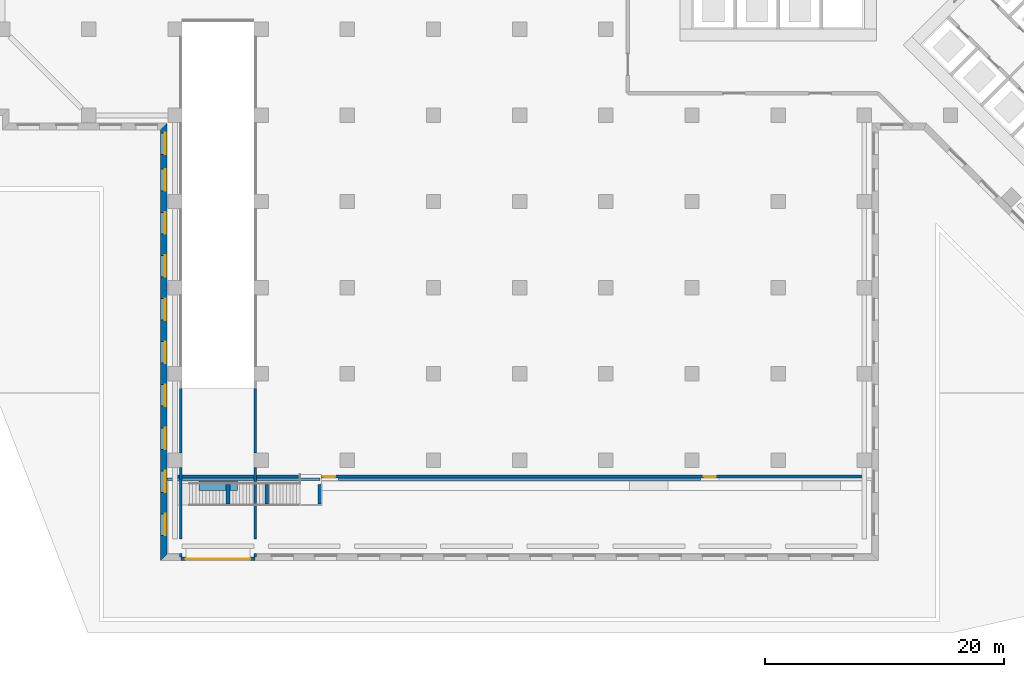
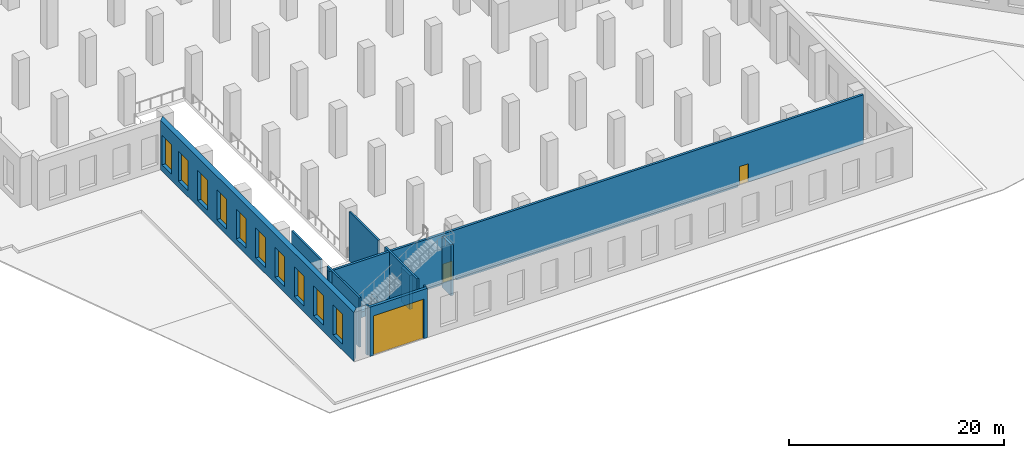
# One storey, part 3 of 15: 15 walls, 10 windows, 3 doors, 13 openings.
"""IFC4 building model written with IfcOpenShell, lengths in metres."""

from ifc_helpers import new_model, si_unit, direction, frame, frame_2d, origin, place, context, subcontext, project, spatial, polyline, rectangle, outline, extrude, material, layer, layer_set, type_object, element, fill, save


model = new_model("IFC4")

# Units and contexts
model_context = context("Model", 3, precision=1e-05, world=origin(), true_north=direction((0.0, 1.0)))
body_context = subcontext(model_context, "Body", "Model", "MODEL_VIEW")
ifc_project = project(units=[si_unit("LENGTHUNIT", "METRE"), si_unit("AREAUNIT", "SQUARE_METRE"), si_unit("VOLUMEUNIT", "CUBIC_METRE"), si_unit("PLANEANGLEUNIT", "RADIAN"), si_unit("MASSUNIT", "GRAM", prefix="KILO")], contexts=[model_context])

# Site, building, storey
site_placement = place(None, origin())
site = spatial("IfcSite", under=ifc_project, at=site_placement, CompositionType="ELEMENT")
building_placement = place(site_placement, origin())
building = spatial("IfcBuilding", under=site, at=building_placement, Name="Windrow Commons", CompositionType="ELEMENT")
storey_placement = place(building_placement, origin())
storey = spatial("IfcBuildingStorey", under=building, at=storey_placement, Name="L00", CompositionType="ELEMENT", Elevation=0.0)

# Wall, openings, windows
ifc_material_1 = material(Name="Brick masonry, red clay brick", Category="masonry")
ifc_layer_1 = layer(ifc_material_1, 0.55)
ifc_layer_set_1 = layer_set([ifc_layer_1], Name="Brick facade wall 550")
wall_type_1 = type_object("IfcWallType", Name="Brick facade wall 550", PredefinedType="SOLIDWALL", material=ifc_layer_set_1)
wall_1_placement = place(storey_placement, frame((13.475, 42.275, 0.0), z_axis=(0.0, 0.0, 1.0), x_axis=(0.0, -1.0, 0.0)))
wall_1 = element("IfcWall", 1, at=wall_1_placement, inside=storey, type_object=wall_type_1, Name="Brick facade wall L00 12", PredefinedType="SOLIDWALL", context=body_context, shape_type="SweptSolid", body=[
    extrude(outline(polyline([(0.275, -0.275), (36.275, -0.275), (35.725, 0.275), (-0.275, 0.275), (0.275, -0.275)])), origin(), (0.0, 0.0, 1.0), 5.6),
])
opening_1_placement = place(wall_1_placement, frame((0.5375, 0.0, 0.7)))
opening_1 = element("IfcOpeningElement", 2, at=opening_1_placement, cuts=wall_1, Name="Opening W3", PredefinedType="OPENING", context=body_context, shape_type="SweptSolid", body=[
    extrude(rectangle(XDim=1.8, YDim=3.4, at=frame_2d((0.9, 1.7))), frame((0.0, 0.285, 0.0), z_axis=(0.0, -1.0, 0.0), x_axis=(1.0, 0.0, 0.0)), (0.0, 0.0, 1.0), 0.57),
])
opening_2_placement = place(wall_1_placement, frame((3.575, 0.0, 0.7)))
opening_2 = element("IfcOpeningElement", 3, at=opening_2_placement, cuts=wall_1, Name="Opening W3", PredefinedType="OPENING", context=body_context, shape_type="SweptSolid", body=[
    extrude(rectangle(XDim=1.8, YDim=3.4, at=frame_2d((0.9, 1.7))), frame((0.0, 0.285, 0.0), z_axis=(0.0, -1.0, 0.0), x_axis=(1.0, 0.0, 0.0)), (0.0, 0.0, 1.0), 0.57),
])
opening_3_placement = place(wall_1_placement, frame((7.175, 0.0, 0.7)))
opening_3 = element("IfcOpeningElement", 4, at=opening_3_placement, cuts=wall_1, Name="Opening W3", PredefinedType="OPENING", context=body_context, shape_type="SweptSolid", body=[
    extrude(rectangle(XDim=1.8, YDim=3.4, at=frame_2d((0.9, 1.7))), frame((0.0, 0.285, 0.0), z_axis=(0.0, -1.0, 0.0), x_axis=(1.0, 0.0, 0.0)), (0.0, 0.0, 1.0), 0.57),
])
opening_4_placement = place(wall_1_placement, frame((10.775, 0.0, 0.7)))
opening_4 = element("IfcOpeningElement", 5, at=opening_4_placement, cuts=wall_1, Name="Opening W3", PredefinedType="OPENING", context=body_context, shape_type="SweptSolid", body=[
    extrude(rectangle(XDim=1.8, YDim=3.4, at=frame_2d((0.9, 1.7))), frame((0.0, 0.285, 0.0), z_axis=(0.0, -1.0, 0.0), x_axis=(1.0, 0.0, 0.0)), (0.0, 0.0, 1.0), 0.57),
])
opening_5_placement = place(wall_1_placement, frame((14.375, 0.0, 0.7)))
opening_5 = element("IfcOpeningElement", 6, at=opening_5_placement, cuts=wall_1, Name="Opening W3", PredefinedType="OPENING", context=body_context, shape_type="SweptSolid", body=[
    extrude(rectangle(XDim=1.8, YDim=3.4, at=frame_2d((0.9, 1.7))), frame((0.0, 0.285, 0.0), z_axis=(0.0, -1.0, 0.0), x_axis=(1.0, 0.0, 0.0)), (0.0, 0.0, 1.0), 0.57),
])
opening_6_placement = place(wall_1_placement, frame((17.975, 0.0, 0.7)))
opening_6 = element("IfcOpeningElement", 7, at=opening_6_placement, cuts=wall_1, Name="Opening W3", PredefinedType="OPENING", context=body_context, shape_type="SweptSolid", body=[
    extrude(rectangle(XDim=1.8, YDim=3.4, at=frame_2d((0.9, 1.7))), frame((0.0, 0.285, 0.0), z_axis=(0.0, -1.0, 0.0), x_axis=(1.0, 0.0, 0.0)), (0.0, 0.0, 1.0), 0.57),
])
opening_7_placement = place(wall_1_placement, frame((21.575, 0.0, 0.7)))
opening_7 = element("IfcOpeningElement", 8, at=opening_7_placement, cuts=wall_1, Name="Opening W3", PredefinedType="OPENING", context=body_context, shape_type="SweptSolid", body=[
    extrude(rectangle(XDim=1.8, YDim=3.4, at=frame_2d((0.9, 1.7))), frame((0.0, 0.285, 0.0), z_axis=(0.0, -1.0, 0.0), x_axis=(1.0, 0.0, 0.0)), (0.0, 0.0, 1.0), 0.57),
])
opening_8_placement = place(wall_1_placement, frame((25.175, 0.0, 0.7)))
opening_8 = element("IfcOpeningElement", 9, at=opening_8_placement, cuts=wall_1, Name="Opening W3", PredefinedType="OPENING", context=body_context, shape_type="SweptSolid", body=[
    extrude(rectangle(XDim=1.8, YDim=3.4, at=frame_2d((0.9, 1.7))), frame((0.0, 0.285, 0.0), z_axis=(0.0, -1.0, 0.0), x_axis=(1.0, 0.0, 0.0)), (0.0, 0.0, 1.0), 0.57),
])
opening_9_placement = place(wall_1_placement, frame((28.775, 0.0, 0.7)))
opening_9 = element("IfcOpeningElement", 10, at=opening_9_placement, cuts=wall_1, Name="Opening W3", PredefinedType="OPENING", context=body_context, shape_type="SweptSolid", body=[
    extrude(rectangle(XDim=1.8, YDim=3.4, at=frame_2d((0.9, 1.7))), frame((0.0, 0.285, 0.0), z_axis=(0.0, -1.0, 0.0), x_axis=(1.0, 0.0, 0.0)), (0.0, 0.0, 1.0), 0.57),
])
opening_10_placement = place(wall_1_placement, frame((32.375, 0.0, 0.7)))
opening_10 = element("IfcOpeningElement", 11, at=opening_10_placement, cuts=wall_1, Name="Opening W3", PredefinedType="OPENING", context=body_context, shape_type="SweptSolid", body=[
    extrude(rectangle(XDim=1.8, YDim=3.4, at=frame_2d((0.9, 1.7))), frame((0.0, 0.285, 0.0), z_axis=(0.0, -1.0, 0.0), x_axis=(1.0, 0.0, 0.0)), (0.0, 0.0, 1.0), 0.57),
])
ifc_material_2 = material(Name="Clear float glass in anodised aluminium frame", Category="aluminium")
window_type = type_object("IfcWindowType", Name="Window W3 shopfront 1800x3400", PartitioningType="SINGLE_PANEL", PredefinedType="WINDOW", material=ifc_material_2)
window_1_placement = place(opening_1_placement, origin())
window_1 = element("IfcWindow", 12, at=window_1_placement, inside=storey, type_object=window_type, Name="Window L00 12.1", OverallHeight=3.4, OverallWidth=1.8, PartitioningType="SINGLE_PANEL", PredefinedType="WINDOW", context=body_context, shape_type="SweptSolid", body=[
    extrude(rectangle(XDim=1.8, YDim=3.4, at=frame_2d((0.9, 1.7))), frame((0.0, 0.155, 0.0), z_axis=(0.0, -1.0, 0.0), x_axis=(1.0, 0.0, 0.0)), (0.0, 0.0, 1.0), 0.06),
])
fill(opening_1, window_1)
window_2_placement = place(opening_2_placement, origin())
window_2 = element("IfcWindow", 13, at=window_2_placement, inside=storey, type_object=window_type, Name="Window L00 12.2", OverallHeight=3.4, OverallWidth=1.8, PartitioningType="SINGLE_PANEL", PredefinedType="WINDOW", context=body_context, shape_type="SweptSolid", body=[
    extrude(rectangle(XDim=1.8, YDim=3.4, at=frame_2d((0.9, 1.7))), frame((0.0, 0.155, 0.0), z_axis=(0.0, -1.0, 0.0), x_axis=(1.0, 0.0, 0.0)), (0.0, 0.0, 1.0), 0.06),
])
fill(opening_2, window_2)
window_3_placement = place(opening_3_placement, origin())
window_3 = element("IfcWindow", 14, at=window_3_placement, inside=storey, type_object=window_type, Name="Window L00 12.3", OverallHeight=3.4, OverallWidth=1.8, PartitioningType="SINGLE_PANEL", PredefinedType="WINDOW", context=body_context, shape_type="SweptSolid", body=[
    extrude(rectangle(XDim=1.8, YDim=3.4, at=frame_2d((0.9, 1.7))), frame((0.0, 0.155, 0.0), z_axis=(0.0, -1.0, 0.0), x_axis=(1.0, 0.0, 0.0)), (0.0, 0.0, 1.0), 0.06),
])
fill(opening_3, window_3)
window_4_placement = place(opening_4_placement, origin())
window_4 = element("IfcWindow", 15, at=window_4_placement, inside=storey, type_object=window_type, Name="Window L00 12.4", OverallHeight=3.4, OverallWidth=1.8, PartitioningType="SINGLE_PANEL", PredefinedType="WINDOW", context=body_context, shape_type="SweptSolid", body=[
    extrude(rectangle(XDim=1.8, YDim=3.4, at=frame_2d((0.9, 1.7))), frame((0.0, 0.155, 0.0), z_axis=(0.0, -1.0, 0.0), x_axis=(1.0, 0.0, 0.0)), (0.0, 0.0, 1.0), 0.06),
])
fill(opening_4, window_4)
window_5_placement = place(opening_5_placement, origin())
window_5 = element("IfcWindow", 16, at=window_5_placement, inside=storey, type_object=window_type, Name="Window L00 12.5", OverallHeight=3.4, OverallWidth=1.8, PartitioningType="SINGLE_PANEL", PredefinedType="WINDOW", context=body_context, shape_type="SweptSolid", body=[
    extrude(rectangle(XDim=1.8, YDim=3.4, at=frame_2d((0.9, 1.7))), frame((0.0, 0.155, 0.0), z_axis=(0.0, -1.0, 0.0), x_axis=(1.0, 0.0, 0.0)), (0.0, 0.0, 1.0), 0.06),
])
fill(opening_5, window_5)
window_6_placement = place(opening_6_placement, origin())
window_6 = element("IfcWindow", 17, at=window_6_placement, inside=storey, type_object=window_type, Name="Window L00 12.6", OverallHeight=3.4, OverallWidth=1.8, PartitioningType="SINGLE_PANEL", PredefinedType="WINDOW", context=body_context, shape_type="SweptSolid", body=[
    extrude(rectangle(XDim=1.8, YDim=3.4, at=frame_2d((0.9, 1.7))), frame((0.0, 0.155, 0.0), z_axis=(0.0, -1.0, 0.0), x_axis=(1.0, 0.0, 0.0)), (0.0, 0.0, 1.0), 0.06),
])
fill(opening_6, window_6)
window_7_placement = place(opening_7_placement, origin())
window_7 = element("IfcWindow", 18, at=window_7_placement, inside=storey, type_object=window_type, Name="Window L00 12.7", OverallHeight=3.4, OverallWidth=1.8, PartitioningType="SINGLE_PANEL", PredefinedType="WINDOW", context=body_context, shape_type="SweptSolid", body=[
    extrude(rectangle(XDim=1.8, YDim=3.4, at=frame_2d((0.9, 1.7))), frame((0.0, 0.155, 0.0), z_axis=(0.0, -1.0, 0.0), x_axis=(1.0, 0.0, 0.0)), (0.0, 0.0, 1.0), 0.06),
])
fill(opening_7, window_7)
window_8_placement = place(opening_8_placement, origin())
window_8 = element("IfcWindow", 19, at=window_8_placement, inside=storey, type_object=window_type, Name="Window L00 12.8", OverallHeight=3.4, OverallWidth=1.8, PartitioningType="SINGLE_PANEL", PredefinedType="WINDOW", context=body_context, shape_type="SweptSolid", body=[
    extrude(rectangle(XDim=1.8, YDim=3.4, at=frame_2d((0.9, 1.7))), frame((0.0, 0.155, 0.0), z_axis=(0.0, -1.0, 0.0), x_axis=(1.0, 0.0, 0.0)), (0.0, 0.0, 1.0), 0.06),
])
fill(opening_8, window_8)
window_9_placement = place(opening_9_placement, origin())
window_9 = element("IfcWindow", 20, at=window_9_placement, inside=storey, type_object=window_type, Name="Window L00 12.9", OverallHeight=3.4, OverallWidth=1.8, PartitioningType="SINGLE_PANEL", PredefinedType="WINDOW", context=body_context, shape_type="SweptSolid", body=[
    extrude(rectangle(XDim=1.8, YDim=3.4, at=frame_2d((0.9, 1.7))), frame((0.0, 0.155, 0.0), z_axis=(0.0, -1.0, 0.0), x_axis=(1.0, 0.0, 0.0)), (0.0, 0.0, 1.0), 0.06),
])
fill(opening_9, window_9)
window_10_placement = place(opening_10_placement, origin())
window_10 = element("IfcWindow", 21, at=window_10_placement, inside=storey, type_object=window_type, Name="Window L00 12.10", OverallHeight=3.4, OverallWidth=1.8, PartitioningType="SINGLE_PANEL", PredefinedType="WINDOW", context=body_context, shape_type="SweptSolid", body=[
    extrude(rectangle(XDim=1.8, YDim=3.4, at=frame_2d((0.9, 1.7))), frame((0.0, 0.155, 0.0), z_axis=(0.0, -1.0, 0.0), x_axis=(1.0, 0.0, 0.0)), (0.0, 0.0, 1.0), 0.06),
])
fill(opening_10, window_10)

# Walls
ifc_material_3 = material(Name="Blockwork partition", Category="masonry")
ifc_layer_2 = layer(ifc_material_3, 0.2)
ifc_layer_set_2 = layer_set([ifc_layer_2], Name="CP-PART-200")
wall_type_2 = type_object("IfcWallType", Name="CP-PART-200", PredefinedType="PARTITIONING", material=ifc_layer_set_2)
wall_2_placement = place(storey_placement, frame((14.9, 6.3, 0.0), z_axis=(0.0, 0.0, 1.0), x_axis=(0.0, 1.0, 0.0)))
element("IfcWall", 22, at=wall_2_placement, inside=storey, type_object=wall_type_2, Name="Entry lane wall W1", PredefinedType="PARTITIONING", context=body_context, shape_type="SweptSolid", body=[
    extrude(rectangle(XDim=0.3, YDim=0.2, at=frame_2d((0.15, 0.0))), origin(), (0.0, 0.0, 1.0), 5.6),
])
wall_3_placement = place(storey_placement, frame((14.9, 7.8, 0.0), z_axis=(0.0, 0.0, 1.0), x_axis=(0.0, 1.0, 0.0)))
element("IfcWall", 23, at=wall_3_placement, inside=storey, type_object=wall_type_2, Name="Entry lane wall W2", PredefinedType="PARTITIONING", context=body_context, shape_type="SweptSolid", body=[
    extrude(rectangle(XDim=6.0, YDim=0.2, at=frame_2d((3.0, 0.0))), origin(), (0.0, 0.0, 1.0), 5.6),
])
wall_4_placement = place(storey_placement, frame((14.9, 15.0, 0.0), z_axis=(0.0, 0.0, 1.0), x_axis=(0.0, 1.0, 0.0)))
element("IfcWall", 24, at=wall_4_placement, inside=storey, type_object=wall_type_2, Name="Entry lane wall W3", PredefinedType="PARTITIONING", context=body_context, shape_type="SweptSolid", body=[
    extrude(rectangle(XDim=5.4, YDim=0.2, at=frame_2d((2.7, 0.0))), origin(), (0.0, 0.0, 1.0), 5.6),
])
wall_5_placement = place(storey_placement, frame((21.1, 6.3, 0.0), z_axis=(0.0, 0.0, 1.0), x_axis=(0.0, 1.0, 0.0)))
element("IfcWall", 25, at=wall_5_placement, inside=storey, type_object=wall_type_2, Name="Entry lane wall E1", PredefinedType="PARTITIONING", context=body_context, shape_type="SweptSolid", body=[
    extrude(rectangle(XDim=0.3, YDim=0.2, at=frame_2d((0.15, 0.0))), origin(), (0.0, 0.0, 1.0), 5.6),
])
wall_6_placement = place(storey_placement, frame((21.1, 7.8, 0.0), z_axis=(0.0, 0.0, 1.0), x_axis=(0.0, 1.0, 0.0)))
element("IfcWall", 26, at=wall_6_placement, inside=storey, type_object=wall_type_2, Name="Entry lane wall E2", PredefinedType="PARTITIONING", context=body_context, shape_type="SweptSolid", body=[
    extrude(rectangle(XDim=6.0, YDim=0.2, at=frame_2d((3.0, 0.0))), origin(), (0.0, 0.0, 1.0), 5.6),
])
wall_7_placement = place(storey_placement, frame((21.1, 15.0, 0.0), z_axis=(0.0, 0.0, 1.0), x_axis=(0.0, 1.0, 0.0)))
element("IfcWall", 27, at=wall_7_placement, inside=storey, type_object=wall_type_2, Name="Entry lane wall E3", PredefinedType="PARTITIONING", context=body_context, shape_type="SweptSolid", body=[
    extrude(rectangle(XDim=5.4, YDim=0.2, at=frame_2d((2.7, 0.0))), origin(), (0.0, 0.0, 1.0), 5.6),
])

# Wall, opening, door
ifc_material_4 = material(Name="Blockwork partition", Category="masonry")
ifc_layer_3 = layer(ifc_material_4, 0.3)
ifc_layer_set_3 = layer_set([ifc_layer_3], Name="CP-PART-300")
wall_type_3 = type_object("IfcWallType", Name="CP-PART-300", PredefinedType="PARTITIONING", material=ifc_layer_set_3)
wall_8_placement = place(storey_placement, frame((14.9, 6.15, 0.0), z_axis=(0.0, 0.0, 1.0), x_axis=(1.0, 0.0, 0.0)))
wall_8 = element("IfcWall", 28, at=wall_8_placement, inside=storey, type_object=wall_type_3, Name="Vehicle gate wall", PredefinedType="PARTITIONING", context=body_context, shape_type="SweptSolid", body=[
    extrude(rectangle(XDim=6.2, YDim=0.3, at=frame_2d((3.1, 0.0))), origin(), (0.0, 0.0, 1.0), 5.6),
])
opening_11_placement = place(wall_8_placement, frame((0.4, 0.0, 0.0)))
opening_11 = element("IfcOpeningElement", 29, at=opening_11_placement, cuts=wall_8, Name="Opening L00-GATE", PredefinedType="OPENING", context=body_context, shape_type="SweptSolid", body=[
    extrude(rectangle(XDim=5.4, YDim=4.5, at=frame_2d((2.7, 2.25))), frame((0.0, 0.16, 0.0), z_axis=(0.0, -1.0, 0.0), x_axis=(1.0, 0.0, 0.0)), (0.0, 0.0, 1.0), 0.32),
])
ifc_material_5 = material(Name="Galvanised steel roller shutter", Category="steel")
door_type_1 = type_object("IfcDoorType", Name="CP-DOOR-GATE", OperationType="ROLLINGUP", PredefinedType="GATE", material=ifc_material_5)
door_1_placement = place(opening_11_placement, origin())
door_1 = element("IfcDoor", 30, at=door_1_placement, inside=storey, type_object=door_type_1, Name="D-L00-GATE", OperationType="ROLLINGUP", OverallHeight=4.5, OverallWidth=5.4, PredefinedType="GATE", context=body_context, shape_type="SweptSolid", body=[
    extrude(rectangle(XDim=5.4, YDim=4.5, at=frame_2d((2.7, 2.25))), frame((0.0, 0.025, 0.0), z_axis=(0.0, -1.0, 0.0), x_axis=(1.0, 0.0, 0.0)), (0.0, 0.0, 1.0), 0.05),
])
fill(opening_11, door_1)

# Walls
ifc_material_6 = material(Name="Concrete C30/37 planter wall", Category="concrete")
ifc_layer_4 = layer(ifc_material_6, 0.8)
ifc_layer_set_4 = layer_set([ifc_layer_4], Name="Planter 800x600")
wall_type_4 = type_object("IfcWallType", Name="Planter 800x600", PredefinedType="SOLIDWALL", material=ifc_layer_set_4)
wall_9_placement = place(storey_placement, frame((19.6068, 12.25, 0.0), z_axis=(0.0, 0.0, 1.0), x_axis=(-1.0, 0.0, 0.0)))
element("IfcWall", 31, at=wall_9_placement, inside=storey, type_object=wall_type_4, Name="PLANTER TR-L00-1.1", PredefinedType="SOLIDWALL", context=body_context, shape_type="SweptSolid", body=[
    extrude(outline(polyline([(0.0, -0.4), (3.2136, -0.4), (3.2136, 0.4), (0.0, 0.4), (0.0, -0.4)])), origin(), (0.0, 0.0, 1.0), 0.65),
])
ifc_material_7 = material(Name="Concrete C40/50", Category="concrete")
ifc_layer_5 = layer(ifc_material_7, 0.3)
ifc_layer_set_5 = layer_set([ifc_layer_5], Name="Stair support wall 300")
wall_type_5 = type_object("IfcWallType", Name="Stair support wall 300", PredefinedType="SOLIDWALL", material=ifc_layer_set_5)
wall_10_placement = place(storey_placement, frame((26.49, 12.35, 0.0), z_axis=(0.0, 0.0, 1.0), x_axis=(0.0, -1.0, 0.0)))
element("IfcWall", 32, at=wall_10_placement, inside=storey, type_object=wall_type_5, Name="Stair support wall L00.1", PredefinedType="SOLIDWALL", context=body_context, shape_type="SweptSolid", body=[
    extrude(rectangle(XDim=1.6, YDim=0.3, at=frame_2d((0.8, 0.0))), origin(), (0.0, 0.0, 1.0), 5.8),
])
wall_11_placement = place(storey_placement, frame((22.068, 12.35, 0.0), z_axis=(0.0, 0.0, 1.0), x_axis=(0.0, -1.0, 0.0)))
element("IfcWall", 33, at=wall_11_placement, inside=storey, type_object=wall_type_5, Name="Stair support wall L00.2", PredefinedType="SOLIDWALL", context=body_context, shape_type="SweptSolid", body=[
    extrude(rectangle(XDim=1.6, YDim=0.3, at=frame_2d((0.8, 0.0))), origin(), (0.0, 0.0, 1.0), 3.8765),
])
wall_12_placement = place(storey_placement, frame((18.834, 12.35, 0.0), z_axis=(0.0, 0.0, 1.0), x_axis=(0.0, -1.0, 0.0)))
element("IfcWall", 34, at=wall_12_placement, inside=storey, type_object=wall_type_5, Name="Stair support wall L00.3", PredefinedType="SOLIDWALL", context=body_context, shape_type="SweptSolid", body=[
    extrude(rectangle(XDim=1.6, YDim=0.3, at=frame_2d((0.8, 0.0))), origin(), (0.0, 0.0, 1.0), 1.8382),
])

# Wall, openings, doors
ifc_material_8 = material(Name="Facing brick on concrete block", Category="masonry")
ifc_layer_6 = layer(ifc_material_8, 0.25)
ifc_layer_set_6 = layer_set([ifc_layer_6], Name="Terrace back wall 250")
wall_type_6 = type_object("IfcWallType", Name="Terrace back wall 250", PredefinedType="SOLIDWALL", material=ifc_layer_set_6)
wall_13_placement = place(storey_placement, frame((71.925, 13.025, 0.0), z_axis=(0.0, 0.0, 1.0), x_axis=(-1.0, 0.0, 0.0)))
wall_13 = element("IfcWall", 35, at=wall_13_placement, inside=storey, type_object=wall_type_6, Name="Terrace back wall TR-L00-1.1", PredefinedType="SOLIDWALL", context=body_context, shape_type="SweptSolid", body=[
    extrude(rectangle(XDim=57.45, YDim=0.25, at=frame_2d((28.725, 0.0))), origin(), (0.0, 0.0, 1.0), 5.6),
])
opening_12_placement = place(wall_13_placement, frame((12.325, 0.0, 0.0)))
opening_12 = element("IfcOpeningElement", 36, at=opening_12_placement, cuts=wall_13, Name="Opening D12", PredefinedType="OPENING", context=body_context, shape_type="SweptSolid", body=[
    extrude(rectangle(XDim=1.0, YDim=2.1, at=frame_2d((0.5, 1.05))), frame((0.0, 0.135, 0.0), z_axis=(0.0, -1.0, 0.0), x_axis=(1.0, 0.0, 0.0)), (0.0, 0.0, 1.0), 0.27),
])
opening_13_placement = place(wall_13_placement, frame((44.125, 0.0, 0.0)))
opening_13 = element("IfcOpeningElement", 37, at=opening_13_placement, cuts=wall_13, Name="Opening D12", PredefinedType="OPENING", context=body_context, shape_type="SweptSolid", body=[
    extrude(rectangle(XDim=1.0, YDim=2.1, at=frame_2d((0.5, 1.05))), frame((0.0, 0.135, 0.0), z_axis=(0.0, -1.0, 0.0), x_axis=(1.0, 0.0, 0.0)), (0.0, 0.0, 1.0), 0.27),
])
ifc_material_9 = material(Name="Timber door leaf in an aluminium frame", Category="wood")
door_type_2 = type_object("IfcDoorType", Name="Terrace lounge door 1000x2100", OperationType="SINGLE_SWING_LEFT", PredefinedType="DOOR", material=ifc_material_9)
door_2_placement = place(opening_12_placement, origin())
door_2 = element("IfcDoor", 38, at=door_2_placement, inside=storey, type_object=door_type_2, Name="Terrace lounge door TR-L00-1.1.1", OperationType="SINGLE_SWING_LEFT", OverallHeight=2.1, OverallWidth=1.0, PredefinedType="DOOR", context=body_context, shape_type="SweptSolid", body=[
    extrude(rectangle(XDim=1.0, YDim=2.1, at=frame_2d((0.5, 1.05))), frame((0.0, 0.025, 0.0), z_axis=(0.0, -1.0, 0.0), x_axis=(1.0, 0.0, 0.0)), (0.0, 0.0, 1.0), 0.05),
])
fill(opening_12, door_2)
door_3_placement = place(opening_13_placement, origin())
door_3 = element("IfcDoor", 39, at=door_3_placement, inside=storey, type_object=door_type_2, Name="Terrace lounge door TR-L00-1.1.2", OperationType="SINGLE_SWING_LEFT", OverallHeight=2.1, OverallWidth=1.0, PredefinedType="DOOR", context=body_context, shape_type="SweptSolid", body=[
    extrude(rectangle(XDim=1.0, YDim=2.1, at=frame_2d((0.5, 1.05))), frame((0.0, 0.025, 0.0), z_axis=(0.0, -1.0, 0.0), x_axis=(1.0, 0.0, 0.0)), (0.0, 0.0, 1.0), 0.05),
])
fill(opening_13, door_3)

# Walls
ifc_material_10 = material(Name="Brick masonry, red clay brick", Category="masonry")
ifc_layer_7 = layer(ifc_material_10, 0.2)
ifc_layer_set_7 = layer_set([ifc_layer_7], Name="Terrace edge parapet 200")
wall_type_7 = type_object("IfcWallType", Name="Terrace edge parapet 200", PredefinedType="PARAPET", material=ifc_layer_set_7)
wall_14_placement = place(storey_placement, frame((58.33, 12.8, 0.0), z_axis=(0.0, 0.0, 1.0), x_axis=(-1.0, 0.0, 0.0)))
element("IfcWall", 40, at=wall_14_placement, inside=storey, type_object=wall_type_7, Name="Terrace parapet TR-L00-1.1.1", PredefinedType="PARAPET", context=body_context, shape_type="SweptSolid", body=[
    extrude(outline(polyline([(0.0, -0.1), (30.26, -0.1), (30.26, 0.1), (0.0, 0.1), (0.0, -0.1)])), origin(), (0.0, 0.0, 1.0), 0.25),
])
wall_15_placement = place(storey_placement, frame((26.53, 12.8, 0.0), z_axis=(0.0, 0.0, 1.0), x_axis=(-1.0, 0.0, 0.0)))
element("IfcWall", 41, at=wall_15_placement, inside=storey, type_object=wall_type_7, Name="Terrace parapet TR-L00-1.1.1", PredefinedType="PARAPET", context=body_context, shape_type="SweptSolid", body=[
    extrude(outline(polyline([(0.0, -0.1), (12.78, -0.1), (12.78, 0.1), (0.0, 0.1), (0.0, -0.1)])), origin(), (0.0, 0.0, 1.0), 0.25),
])

save(model, "model.ifc")
